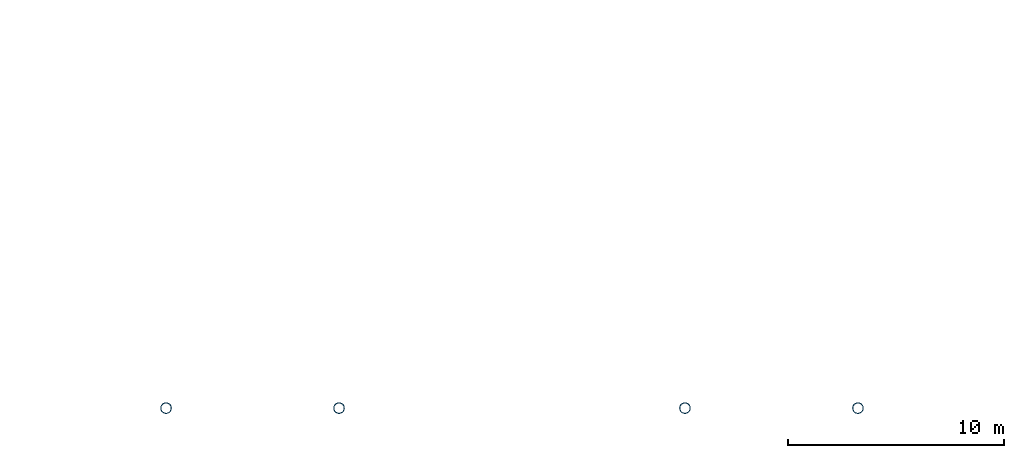
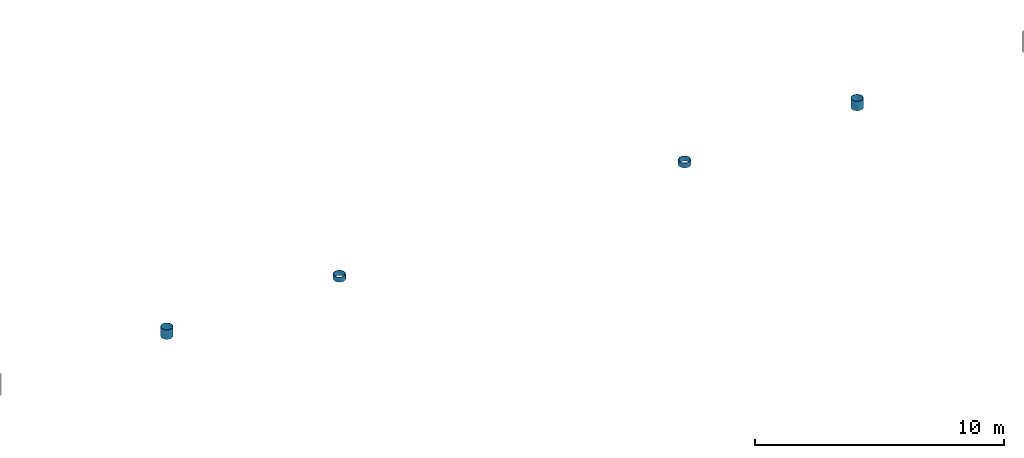
# One storey, part 11 of 54: 4 columns.
"""IFC4 building model written with IfcOpenShell, lengths in metres."""

from ifc_helpers import new_model, si_unit, direction, frame, origin, origin_2d, place, context, subcontext, project, spatial, hollow_circle, extrude, material, material_profile, profile_set, type_object, element, save


model = new_model("IFC4")

# Units and contexts
model_context = context("Model", 3, precision=1e-05, world=origin(), true_north=direction((0.0, 1.0)))
body_context = subcontext(model_context, "Body", "Model", "MODEL_VIEW")
ifc_project = project(units=[si_unit("LENGTHUNIT", "METRE"), si_unit("AREAUNIT", "SQUARE_METRE"), si_unit("VOLUMEUNIT", "CUBIC_METRE"), si_unit("PLANEANGLEUNIT", "RADIAN"), si_unit("MASSUNIT", "GRAM", prefix="KILO")], contexts=[model_context])

# Site, building, storey
site_placement = place(None, origin())
site = spatial("IfcSite", under=ifc_project, at=site_placement, CompositionType="ELEMENT")
building_placement = place(site_placement, origin())
building = spatial("IfcBuilding", under=site, at=building_placement, Name="Haebicheon Civic Stadium", CompositionType="ELEMENT")
storey_placement = place(building_placement, frame((0.0, 0.0, 22.800048828125)))
storey = spatial("IfcBuildingStorey", under=building, at=storey_placement, Name="L06", CompositionType="ELEMENT", Elevation=22.800048828125)

# Columns
ifc_material = material(Name="White painted steel SM490", Category="steel")
ifc_material_profile = material_profile(ifc_material, hollow_circle(Radius=0.25390625, WallThickness=0.02490234375, at=origin_2d()), Name="CHS-508.0x25.0")
ifc_profile_set = profile_set([ifc_material_profile], Name="White painted steel SM490")
column_type = type_object("IfcColumnType", Name="COL-ST-CHS508", PredefinedType="COLUMN", material=ifc_profile_set)
column_1_placement = place(storey_placement, frame((88.0, 40.0, 0.0), z_axis=(0.0, 0.0, 1.0), x_axis=(1.0, 0.0, 0.0)))
element("IfcColumn", 1, at=column_1_placement, inside=storey, type_object=column_type, material=ifc_profile_set, Name="Bowl/canopy support column 88/40 (L06)", PredefinedType="COLUMN", context=body_context, shape_type="SweptSolid", body=[
    extrude(hollow_circle(Radius=0.25390625, WallThickness=0.02490234375, at=origin_2d()), origin(), (0.0, 0.0, 1.0), 0.4599609375),
])
for number, where, z_axis, x_axis, name in (
    (2, (96.0, 40.0, 0.0), (0.0, 0.0, 1.0), (1.0, 0.0, 0.0), "Bowl/canopy support column 96/40 (L06)"),
    (3, (112.0, 40.0, 0.0), (0.0, 0.0, 1.0), (1.0, 0.0, 0.0), "Bowl/canopy support column 112/40 (L06)"),
):
    element("IfcColumn", number, at=place(storey_placement, frame(where, z_axis=z_axis, x_axis=x_axis)), inside=storey, type_object=column_type, material=ifc_profile_set, Name=name, PredefinedType="COLUMN", context=body_context, shape_type="SweptSolid", body=[
        extrude(hollow_circle(Radius=0.25390625, WallThickness=0.02490234375, at=origin_2d()), origin(), (0.0, 0.0, 1.0), 0.239990234375),
    ])
column_2_placement = place(storey_placement, frame((120.0, 40.0, 0.0), z_axis=(0.0, 0.0, 1.0), x_axis=(1.0, 0.0, 0.0)))
element("IfcColumn", 4, at=column_2_placement, inside=storey, type_object=column_type, material=ifc_profile_set, Name="Bowl/canopy support column 120/40 (L06)", PredefinedType="COLUMN", context=body_context, shape_type="SweptSolid", body=[
    extrude(hollow_circle(Radius=0.25390625, WallThickness=0.02490234375, at=origin_2d()), origin(), (0.0, 0.0, 1.0), 0.4599609375),
])

save(model, "model.ifc")
